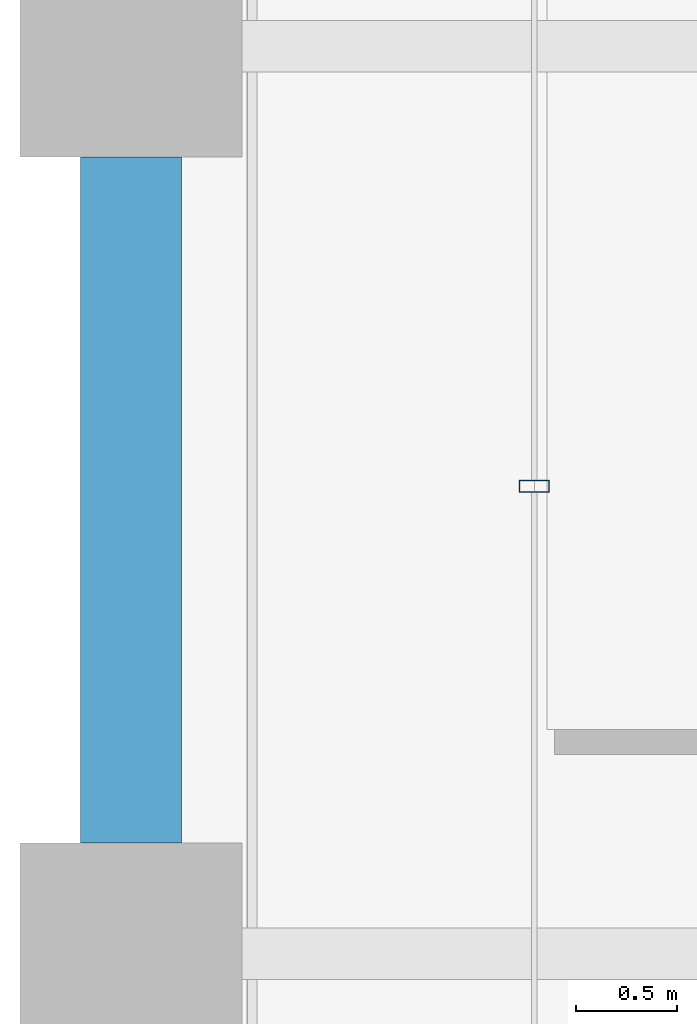
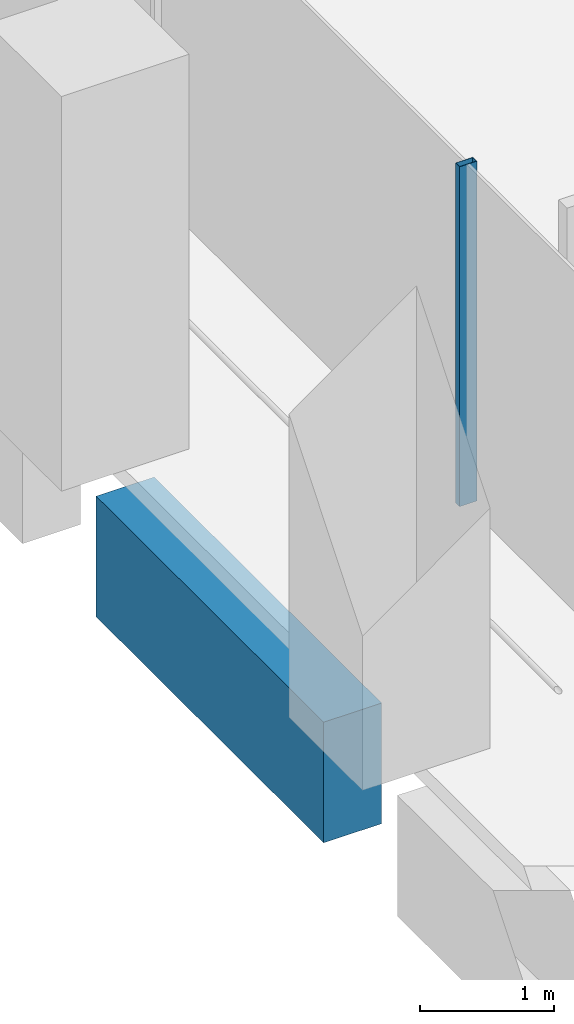
# One storey, part 12 of 54: 1 beam, 1 member, 1 element without a shape of its own.
"""IFC4 building model written with IfcOpenShell, lengths in metres."""

from ifc_helpers import new_model, si_unit, direction, frame, origin, origin_2d, place, context, subcontext, project, spatial, rectangle, hollow_rectangle, extrude, material, material_profile, profile_set, type_object, element, aggregate, save


model = new_model("IFC4")

# Units and contexts
model_context = context("Model", 3, precision=1e-05, world=origin(), true_north=direction((0.0, 1.0)))
body_context = subcontext(model_context, "Body", "Model", "MODEL_VIEW")
ifc_project = project(units=[si_unit("LENGTHUNIT", "METRE"), si_unit("AREAUNIT", "SQUARE_METRE"), si_unit("VOLUMEUNIT", "CUBIC_METRE"), si_unit("PLANEANGLEUNIT", "RADIAN"), si_unit("MASSUNIT", "GRAM", prefix="KILO")], contexts=[model_context])

# Site, building, storey
site_placement = place(None, origin())
site = spatial("IfcSite", under=ifc_project, at=site_placement, CompositionType="ELEMENT")
building_placement = place(site_placement, origin())
building = spatial("IfcBuilding", under=site, at=building_placement, Name="Altepetl Exchange Towers", CompositionType="ELEMENT")
storey_placement = place(building_placement, frame((0.0, 0.0, 61.800048828125)))
storey = spatial("IfcBuildingStorey", under=building, at=storey_placement, Name="L14", CompositionType="ELEMENT", Elevation=61.800048828125)

# Curtain wall, member
ifc_material_1 = material(Name="Aluminium 6063-T6 glazing", Category="aluminium")
curtain_wall_type = type_object("IfcCurtainWallType", Name="Loggia glazing system", PredefinedType="NOTDEFINED", material=ifc_material_1)
curtain_wall_placement = place(storey_placement, origin())
curtain_wall = element("IfcCurtainWall", 1, at=curtain_wall_placement, inside=storey, type_object=curtain_wall_type, Name="CW1 run", PredefinedType="NOTDEFINED")
ifc_material_2 = material(Name="Aluminium 6063-T6", Category="aluminium")
ifc_material_profile_1 = material_profile(ifc_material_2, hollow_rectangle(XDim=0.06005859375, YDim=0.14990234375, WallThickness=0.0029296875, at=origin_2d()), Name="Mullion 60x150 aluminium")
ifc_profile_set_1 = profile_set([ifc_material_profile_1], Name="Aluminium 6063-T6")
member_type = type_object("IfcMemberType", Name="Mullion 60x150 aluminium", PredefinedType="MULLION", material=ifc_profile_set_1)
member_placement = place(storey_placement, frame((29.0, 51.81787109375, 0.0), z_axis=(0.0, 0.0, 1.0), x_axis=(0.0, -1.0, 0.0)))
member = element("IfcMember", 2, at=member_placement, type_object=member_type, Name="MU1 mullion", PredefinedType="MULLION", context=body_context, shape_type="SweptSolid", body=[
    extrude(hollow_rectangle(XDim=0.06005859375, YDim=0.14990234375, WallThickness=0.0029296875, at=origin_2d()), origin(), (0.0, 0.0, 1.0), 3.099853515625),
])
aggregate(curtain_wall, [member])

# Beam
ifc_material_3 = material(Name="Concrete C50/60 precast with tezontle facing", Category="concrete")
ifc_material_profile_2 = material_profile(ifc_material_3, rectangle(XDim=0.5, YDim=1.10009765625, at=origin_2d()), Name="500 x 1100")
ifc_profile_set_2 = profile_set([ifc_material_profile_2], Name="Concrete C50/60 precast with tezontle facing")
beam_type = type_object("IfcBeamType", Name="Spandrel beam 500x1100 tezontle", PredefinedType="SPANDREL", material=ifc_profile_set_2)
beam_placement = place(storey_placement, frame((27.0, 53.449951171875, -0.699951171875), z_axis=(0.0, -1.0, 0.0), x_axis=(1.0, 0.0, 0.0)))
element("IfcBeam", 3, at=beam_placement, inside=storey, type_object=beam_type, Name="sp:A:L14:039", PredefinedType="SPANDREL", context=body_context, shape_type="SweptSolid", body=[
    extrude(rectangle(XDim=0.5, YDim=1.10009765625, at=origin_2d()), origin(), (0.0, 0.0, 1.0), 3.39990234375),
])

save(model, "model.ifc")
